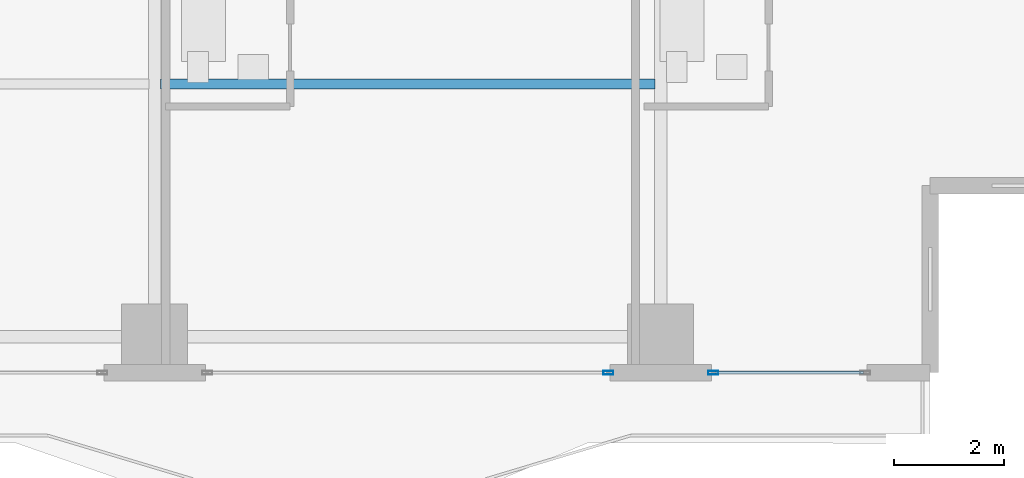
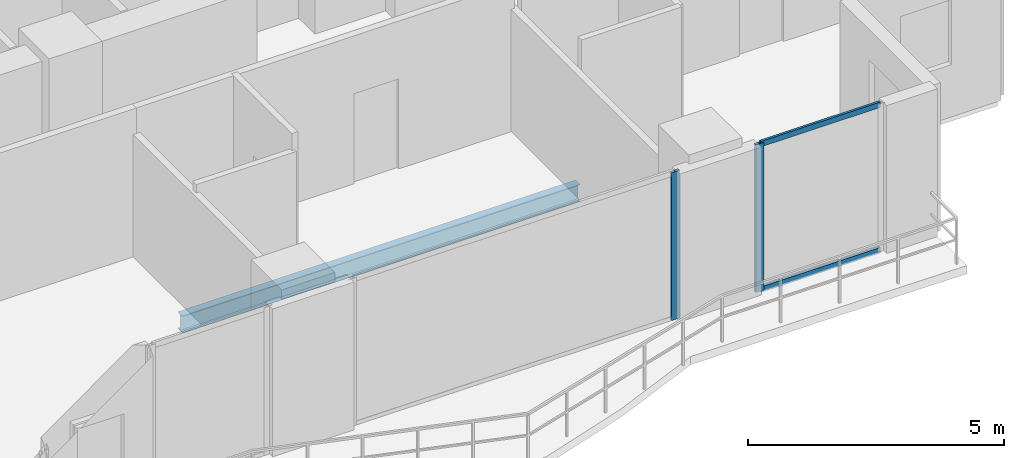
# One storey, part 9 of 32: 4 members, 1 beam, 2 elements without a shape of their own.
"""IFC4 building model written with IfcOpenShell, lengths in metres."""

from ifc_helpers import new_model, si_unit, direction, frame, origin, origin_2d, place, context, subcontext, project, spatial, hollow_rectangle, i_section, extrude, material, layer, layer_set, material_profile, profile_set, type_object, element, aggregate, save


model = new_model("IFC4")

# Units and contexts
model_context = context("Model", 3, precision=1e-05, world=origin(), true_north=direction((0.0, 1.0)))
body_context = subcontext(model_context, "Body", "Model", "MODEL_VIEW")
ifc_project = project(units=[si_unit("LENGTHUNIT", "METRE"), si_unit("AREAUNIT", "SQUARE_METRE"), si_unit("VOLUMEUNIT", "CUBIC_METRE"), si_unit("PLANEANGLEUNIT", "RADIAN"), si_unit("MASSUNIT", "GRAM", prefix="KILO")], contexts=[model_context])

# Site, building, storey
site_placement = place(None, origin())
site = spatial("IfcSite", under=ifc_project, at=site_placement, CompositionType="ELEMENT")
building_placement = place(site_placement, origin())
building = spatial("IfcBuilding", under=site, at=building_placement, Name="Zuhayl Quay Hotel", CompositionType="ELEMENT")
storey_placement = place(building_placement, frame((0.0, 0.0, 184.89990234375)))
storey = spatial("IfcBuildingStorey", under=building, at=storey_placement, Name="L46", CompositionType="ELEMENT", Elevation=184.89990234375)

# Beam
ifc_material_1 = material(Name="Steel ASTM A992 Grade 50", Category="steel")
ifc_material_profile_1 = material_profile(ifc_material_1, i_section(OverallWidth=0.177978515625, OverallDepth=0.406005859375, WebThickness=0.0078125, FlangeThickness=0.0126953125, at=origin_2d()), Name="W16X40")
ifc_profile_set_1 = profile_set([ifc_material_profile_1], Name="Steel ASTM A992 Grade 50")
beam_type = type_object("IfcBeamType", Name="BM_J2B_W16X40", PredefinedType="JOIST", material=ifc_profile_set_1)
beam_placement = place(storey_placement, frame((4.7060546875, -2.35009765625, -0.4228515625), z_axis=(1.0, 0.0, 0.0), x_axis=(0.0, 1.0, 0.0)))
element("IfcBeam", 1, at=beam_placement, inside=storey, type_object=beam_type, Name="L46 Floor Beam FJ_L46_7_3", PredefinedType="JOIST", context=body_context, shape_type="SweptSolid", body=[
    extrude(i_section(OverallWidth=0.177978515625, OverallDepth=0.406005859375, WebThickness=0.0078125, FlangeThickness=0.0126953125, at=origin_2d()), origin(), (0.0, 0.0, 1.0), 8.988037109375),
])

# Curtain wall, member
ifc_material_2 = material(Name="Anodised Aluminium 6063-T6", Category="aluminium")
ifc_layer = layer(ifc_material_2, 0.175048828125, Name="Anodised Aluminium 6063-T6", Category="aluminium")
ifc_layer_set = layer_set([ifc_layer], Name="Anodised Aluminium 6063-T6")
curtain_wall_type = type_object("IfcCurtainWallType", Name="CW_SYS_Z3", PredefinedType="USERDEFINED", material=ifc_layer_set)
curtain_wall_1_placement = place(storey_placement, origin())
curtain_wall_1 = element("IfcCurtainWall", 2, at=curtain_wall_1_placement, inside=storey, type_object=curtain_wall_type, Name="L46 Curtain Wall ENV_L46_S_CW1", ObjectType="UNITISED CURTAIN WALL", PredefinedType="USERDEFINED")
ifc_material_3 = material(Name="Black-anodised aluminium 6063-T6", Category="aluminium")
ifc_material_profile_2 = material_profile(ifc_material_3, hollow_rectangle(XDim=0.06494140625, YDim=0.179931640625, WallThickness=0.00341796875, at=origin_2d()), Name="ALU180X65")
ifc_profile_set_2 = profile_set([ifc_material_profile_2], Name="Black-anodised aluminium 6063-T6")
member_type_1 = type_object("IfcMemberType", Name="MB_CW_MUL_180", PredefinedType="MULLION", material=ifc_profile_set_2)
member_1_placement = place(storey_placement, frame((14.75244140625, -7.60009765625, 0.0), z_axis=(0.0, 0.0, 1.0), x_axis=(0.0, -1.0, 0.0)))
member_1 = element("IfcMember", 3, at=member_1_placement, type_object=member_type_1, Name="CW-Z3 mullion 2", PredefinedType="MULLION", context=body_context, shape_type="SweptSolid", body=[
    extrude(hollow_rectangle(XDim=0.06494140625, YDim=0.179931640625, WallThickness=0.00341796875, at=origin_2d()), origin(), (0.0, 0.0, 1.0), 3.530029296875),
])

curtain_wall_2_placement = place(storey_placement, origin())
curtain_wall_2 = element("IfcCurtainWall", 4, at=curtain_wall_2_placement, inside=storey, type_object=curtain_wall_type, Name="L46 Curtain Wall ENV_L46_S_CW2", ObjectType="UNITISED CURTAIN WALL", PredefinedType="USERDEFINED")
member_2_placement = place(storey_placement, frame((12.847412109375, -7.60009765625, 0.0), z_axis=(0.0, 0.0, 1.0), x_axis=(0.0, -1.0, 0.0)))
member_2 = element("IfcMember", 5, at=member_2_placement, type_object=member_type_1, Name="CW-Z3 mullion 1", PredefinedType="MULLION", context=body_context, shape_type="SweptSolid", body=[
    extrude(hollow_rectangle(XDim=0.06494140625, YDim=0.179931640625, WallThickness=0.00341796875, at=origin_2d()), origin(), (0.0, 0.0, 1.0), 3.530029296875),
])
aggregate(curtain_wall_2, [member_2])

# Member
ifc_material_profile_3 = material_profile(ifc_material_3, hollow_rectangle(XDim=0.054931640625, YDim=0.1298828125, WallThickness=0.0029296875, at=origin_2d()), Name="ALU130X55")
ifc_profile_set_3 = profile_set([ifc_material_profile_3], Name="Black-anodised aluminium 6063-T6")
member_type_2 = type_object("IfcMemberType", Name="MB_CW_TRN_130", PredefinedType="USERDEFINED", material=ifc_profile_set_3)
member_3_placement = place(storey_placement, frame((17.485107421875, -7.60009765625, 0.027587890625), z_axis=(-1.0, 0.0, 0.0), x_axis=(0.0, -1.0, 0.0)))
member_3 = element("IfcMember", 6, at=member_3_placement, type_object=member_type_2, Name="CW-Z3 transom 1.1", ObjectType="TRANSOM", PredefinedType="USERDEFINED", context=body_context, shape_type="SweptSolid", body=[
    extrude(hollow_rectangle(XDim=0.054931640625, YDim=0.1298828125, WallThickness=0.0029296875, at=origin_2d()), origin(), (0.0, 0.0, 1.0), 2.7001953125),
])

member_4_placement = place(storey_placement, frame((17.485107421875, -7.60009765625, 3.502685546875), z_axis=(-1.0, 0.0, 0.0), x_axis=(0.0, -1.0, 0.0)))
member_4 = element("IfcMember", 7, at=member_4_placement, type_object=member_type_2, Name="CW-Z3 transom 1.2", ObjectType="TRANSOM", PredefinedType="USERDEFINED", context=body_context, shape_type="SweptSolid", body=[
    extrude(hollow_rectangle(XDim=0.054931640625, YDim=0.1298828125, WallThickness=0.0029296875, at=origin_2d()), origin(), (0.0, 0.0, 1.0), 2.7001953125),
])

aggregate(curtain_wall_1, [member_1, member_3, member_4])

save(model, "model.ifc")
